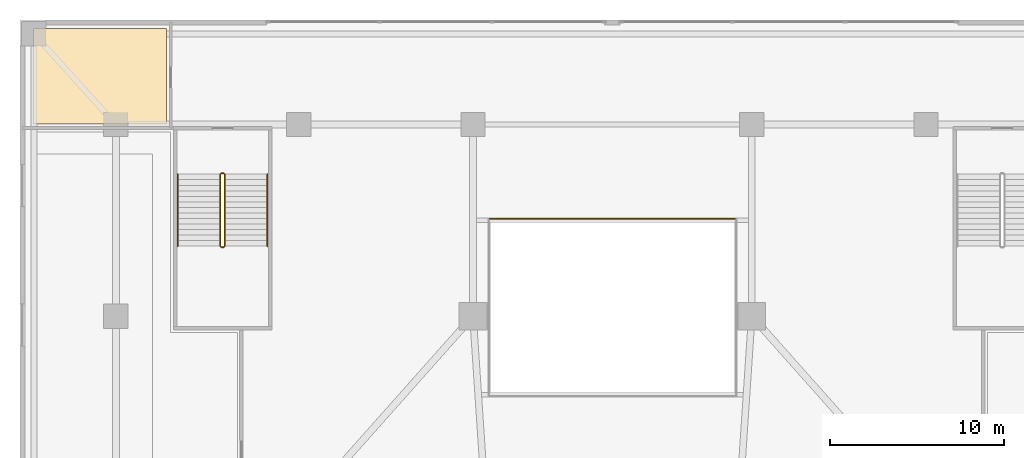
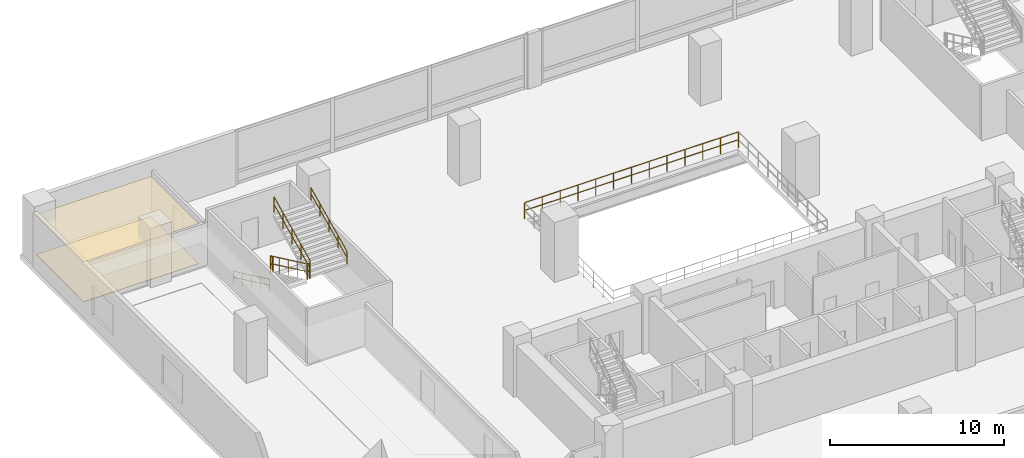
# One storey, part 13 of 15: 7 railings, 2 coverings.
"""IFC4 building model written with IfcOpenShell, lengths in metres."""

from ifc_helpers import new_model, si_unit, direction, frame, origin, origin_2d, place, context, subcontext, project, spatial, polyline, circle, outline, extrude, material, layer, layer_set, type_object, element, save


model = new_model("IFC4")

# Units and contexts
model_context = context("Model", 3, precision=1e-05, world=origin(), true_north=direction((0.0, 1.0)))
body_context = subcontext(model_context, "Body", "Model", "MODEL_VIEW")
ifc_project = project(units=[si_unit("LENGTHUNIT", "METRE"), si_unit("AREAUNIT", "SQUARE_METRE"), si_unit("VOLUMEUNIT", "CUBIC_METRE"), si_unit("PLANEANGLEUNIT", "RADIAN"), si_unit("MASSUNIT", "GRAM", prefix="KILO")], contexts=[model_context])

# Site, building, storey
site_placement = place(None, origin())
site = spatial("IfcSite", under=ifc_project, at=site_placement, CompositionType="ELEMENT")
building_placement = place(site_placement, origin())
building = spatial("IfcBuilding", under=site, at=building_placement, Name="Solmavex Isthmus Hotel", CompositionType="ELEMENT")
storey_placement = place(building_placement, frame((0.0, 0.0, 16.199951171875)))
storey = spatial("IfcBuildingStorey", under=building, at=storey_placement, Name="L04", CompositionType="ELEMENT", Elevation=16.199951171875)

# Coverings
ifc_material_1 = material(Name="Gypsum plasterboard lining", Category="gypsum")
ifc_layer_1 = layer(ifc_material_1, 0.030029296875)
ifc_layer_set_1 = layer_set([ifc_layer_1], Name="Gypsum plasterboard lining")
covering_type_1 = type_object("IfcCoveringType", Name="COV-CEIL-GYP", PredefinedType="CEILING", material=ifc_layer_set_1)
covering_1_placement = place(storey_placement, frame((0.0, 0.0, 2.800048828125)))
element("IfcCovering", 1, at=covering_1_placement, inside=storey, type_object=covering_type_1, Name="Suspended Acoustic Ceiling L04-NWR", PredefinedType="CEILING", context=body_context, shape_type="SweptSolid", body=[
    extrude(outline(polyline([(-25.580078125, 17.530029296875), (-25.580078125, 23.02001953125), (-33.219970703125, 23.02001953125), (-33.219970703125, 17.530029296875), (-25.580078125, 17.530029296875)])), origin(), (0.0, 0.0, 1.0), 0.030029296875),
])
ifc_material_2 = material(Name="Travertine natural stone", Category="masonry")
ifc_layer_2 = layer(ifc_material_2, 0.02490234375)
ifc_layer_set_2 = layer_set([ifc_layer_2], Name="Travertine natural stone")
covering_type_2 = type_object("IfcCoveringType", Name="COV-FLOR-STN", PredefinedType="FLOORING", material=ifc_layer_set_2)
covering_2_placement = place(storey_placement, origin())
element("IfcCovering", 2, at=covering_2_placement, inside=storey, type_object=covering_type_2, Name="Stone and Timber Floor Finish L04-NWR", PredefinedType="FLOORING", context=body_context, shape_type="SweptSolid", body=[
    extrude(outline(polyline([(-25.580078125, 17.530029296875), (-25.580078125, 23.02001953125), (-33.219970703125, 23.02001953125), (-33.219970703125, 17.530029296875), (-25.580078125, 17.530029296875)])), origin(), (0.0, 0.0, 1.0), 0.025146484375),
])

# Railings
ifc_material_3 = material(Name="Clear low-E laminated glass", Category="glass")
ifc_layer_3 = layer(ifc_material_3, 0.080078125)
ifc_layer_set_3 = layer_set([ifc_layer_3], Name="Clear low-E laminated glass")
railing_type_1 = type_object("IfcRailingType", Name="RAIL-ATRIUM-1120", PredefinedType="BALUSTRADE", material=ifc_layer_set_3)
railing_1_placement = place(storey_placement, frame((7.10009765625, 12.10009765625, 0.0)))
element("IfcRailing", 3, at=railing_1_placement, inside=storey, type_object=railing_type_1, Name="Guardrail Balustrade L04-ATRIUM-03", PredefinedType="BALUSTRADE", context=body_context, shape_type="SweptSolid", body=[
    extrude(circle(Radius=0.02392578125, at=origin_2d()), frame((0.0, 0.0, 1.1259765625), z_axis=(-1.0, 0.0, 0.0), x_axis=(0.0, -1.0, 0.0)), (0.0, 0.0, 1.0), 14.2001953125),
    extrude(circle(Radius=0.02392578125, at=origin_2d()), frame((0.0, 0.0, 0.574951171875), z_axis=(-1.0, 0.0, 0.0), x_axis=(0.0, -1.0, 0.0)), (0.0, 0.0, 1.0), 14.2001953125),
    extrude(circle(Radius=0.02099609375, at=origin_2d()), origin(), (0.0, 0.0, 1.0), 1.101806640625),
    extrude(circle(Radius=0.02099609375, at=origin_2d()), frame((-1.183349609375, 0.0, 0.0)), (0.0, 0.0, 1.0), 1.101806640625),
    extrude(circle(Radius=0.02099609375, at=origin_2d()), frame((-2.36669921875, 0.0, 0.0)), (0.0, 0.0, 1.0), 1.101806640625),
    extrude(circle(Radius=0.02099609375, at=origin_2d()), frame((-3.550048828125, 0.0, 0.0)), (0.0, 0.0, 1.0), 1.101806640625),
    extrude(circle(Radius=0.02099609375, at=origin_2d()), frame((-4.7333984375, 0.0, 0.0)), (0.0, 0.0, 1.0), 1.101806640625),
    extrude(circle(Radius=0.02099609375, at=origin_2d()), frame((-5.916748046875, 0.0, 0.0)), (0.0, 0.0, 1.0), 1.101806640625),
    extrude(circle(Radius=0.02099609375, at=origin_2d()), frame((-7.10009765625, 0.0, 0.0)), (0.0, 0.0, 1.0), 1.101806640625),
    extrude(circle(Radius=0.02099609375, at=origin_2d()), frame((-8.283447265625, 0.0, 0.0)), (0.0, 0.0, 1.0), 1.101806640625),
    extrude(circle(Radius=0.02099609375, at=origin_2d()), frame((-9.466796875, 0.0, 0.0)), (0.0, 0.0, 1.0), 1.101806640625),
    extrude(circle(Radius=0.02099609375, at=origin_2d()), frame((-10.650146484375, 0.0, 0.0)), (0.0, 0.0, 1.0), 1.101806640625),
    extrude(circle(Radius=0.02099609375, at=origin_2d()), frame((-11.83349609375, 0.0, 0.0)), (0.0, 0.0, 1.0), 1.101806640625),
    extrude(circle(Radius=0.02099609375, at=origin_2d()), frame((-13.016845703125, 0.0, 0.0)), (0.0, 0.0, 1.0), 1.101806640625),
    extrude(circle(Radius=0.02099609375, at=origin_2d()), frame((-14.2001953125, 0.0, 0.0)), (0.0, 0.0, 1.0), 1.101806640625),
])
ifc_material_4 = material(Name="Stainless steel 316", Category="steel")
ifc_layer_4 = layer(ifc_material_4, 0.06005859375)
ifc_layer_set_4 = layer_set([ifc_layer_4], Name="Stainless steel 316")
railing_type_2 = type_object("IfcRailingType", Name="RAIL-STAIR-GD", PredefinedType="GUARDRAIL", material=ifc_layer_set_4)
railing_2_placement = place(storey_placement, frame((-22.5, 14.64990234375, 0.150146484375)))
element("IfcRailing", 4, at=railing_2_placement, inside=storey, type_object=railing_type_2, Name="L04 ST-4 stair guard 1", PredefinedType="GUARDRAIL", context=body_context, shape_type="SweptSolid", body=[
    extrude(circle(Radius=0.02392578125, at=origin_2d()), frame((0.0, 0.0, 1.09619140625), z_axis=(0.0, -0.904427314889, 0.426627744154), x_axis=(1.0, 0.0, 0.0)), (0.0, 0.0, 1.0), 4.570556640625),
    extrude(circle(Radius=0.02392578125, at=origin_2d()), frame((0.0, 0.0, 0.56005859375), z_axis=(0.0, -0.904427314889, 0.426627744154), x_axis=(1.0, 0.0, 0.0)), (0.0, 0.0, 1.0), 4.570556640625),
    extrude(circle(Radius=0.02099609375, at=origin_2d()), origin(), (0.0, 0.0, 1.0), 1.072021484375),
    extrude(circle(Radius=0.02099609375, at=origin_2d()), frame((0.0, -1.033447265625, 0.487548828125)), (0.0, 0.0, 1.0), 1.072021484375),
    extrude(circle(Radius=0.02099609375, at=origin_2d()), frame((0.0, -2.06689453125, 0.97509765625)), (0.0, 0.0, 1.0), 1.072021484375),
    extrude(circle(Radius=0.02099609375, at=origin_2d()), frame((0.0, -3.100341796875, 1.46240234375)), (0.0, 0.0, 1.0), 1.072021484375),
    extrude(circle(Radius=0.02099609375, at=origin_2d()), frame((0.0, -4.1337890625, 1.949951171875)), (0.0, 0.0, 1.0), 1.072021484375),
])
railing_3_placement = place(storey_placement, frame((-22.449951171875, 10.466064453125, 2.10009765625)))
element("IfcRailing", 5, at=railing_3_placement, inside=storey, type_object=railing_type_2, Name="L04 ST-4 stair guard 2", PredefinedType="GUARDRAIL", context=body_context, shape_type="SweptSolid", body=[
    extrude(circle(Radius=0.02392578125, at=origin_2d()), frame((0.0, 0.0, 1.09619140625), z_axis=(1.0, 0.0, 0.0), x_axis=(0.0, 1.0, 0.0)), (0.0, 0.0, 1.0), 0.14990234375),
    extrude(circle(Radius=0.02392578125, at=origin_2d()), frame((0.0, 0.0, 0.56005859375), z_axis=(1.0, 0.0, 0.0), x_axis=(0.0, 1.0, 0.0)), (0.0, 0.0, 1.0), 0.14990234375),
    extrude(circle(Radius=0.02099609375, at=origin_2d()), origin(), (0.0, 0.0, 1.0), 1.072021484375),
    extrude(circle(Radius=0.02099609375, at=origin_2d()), frame((0.14990234375, 0.0, 0.0)), (0.0, 0.0, 1.0), 1.072021484375),
])
railing_4_placement = place(storey_placement, frame((-22.25, 10.51611328125, 2.25)))
element("IfcRailing", 6, at=railing_4_placement, inside=storey, type_object=railing_type_2, Name="L04 ST-4 stair guard 3", PredefinedType="GUARDRAIL", context=body_context, shape_type="SweptSolid", body=[
    extrude(circle(Radius=0.02392578125, at=origin_2d()), frame((0.0, 0.0, 1.09619140625), z_axis=(0.0, 0.904427314889, 0.426627744154), x_axis=(-1.0, 0.0, 0.0)), (0.0, 0.0, 1.0), 4.570556640625),
    extrude(circle(Radius=0.02392578125, at=origin_2d()), frame((0.0, 0.0, 0.56005859375), z_axis=(0.0, 0.904427314889, 0.426627744154), x_axis=(-1.0, 0.0, 0.0)), (0.0, 0.0, 1.0), 4.570556640625),
    extrude(circle(Radius=0.02099609375, at=origin_2d()), origin(), (0.0, 0.0, 1.0), 1.072021484375),
    extrude(circle(Radius=0.02099609375, at=origin_2d()), frame((0.0, 1.033447265625, 0.487548828125)), (0.0, 0.0, 1.0), 1.072021484375),
    extrude(circle(Radius=0.02099609375, at=origin_2d()), frame((0.0, 2.06689453125, 0.97509765625)), (0.0, 0.0, 1.0), 1.072021484375),
    extrude(circle(Radius=0.02099609375, at=origin_2d()), frame((0.0, 3.100341796875, 1.46240234375)), (0.0, 0.0, 1.0), 1.072021484375),
    extrude(circle(Radius=0.02099609375, at=origin_2d()), frame((0.0, 4.1337890625, 1.949951171875)), (0.0, 0.0, 1.0), 1.072021484375),
])
railing_5_placement = place(storey_placement, frame((-22.449951171875, 14.699951171875, 0.0)))
element("IfcRailing", 7, at=railing_5_placement, inside=storey, type_object=railing_type_2, Name="L04 ST-4 stair guard 4", PredefinedType="GUARDRAIL", context=body_context, shape_type="SweptSolid", body=[
    extrude(circle(Radius=0.02392578125, at=origin_2d()), frame((0.0, 0.0, 1.09619140625), z_axis=(1.0, 0.0, 0.0), x_axis=(0.0, 1.0, 0.0)), (0.0, 0.0, 1.0), 0.14990234375),
    extrude(circle(Radius=0.02392578125, at=origin_2d()), frame((0.0, 0.0, 0.56005859375), z_axis=(1.0, 0.0, 0.0), x_axis=(0.0, 1.0, 0.0)), (0.0, 0.0, 1.0), 0.14990234375),
    extrude(circle(Radius=0.02099609375, at=origin_2d()), origin(), (0.0, 0.0, 1.0), 1.072021484375),
    extrude(circle(Radius=0.02099609375, at=origin_2d()), frame((0.14990234375, 0.0, 0.0)), (0.0, 0.0, 1.0), 1.072021484375),
])
ifc_layer_5 = layer(ifc_material_4, 0.050048828125)
ifc_layer_set_5 = layer_set([ifc_layer_5], Name="Stainless steel 316")
railing_type_3 = type_object("IfcRailingType", Name="RAIL-STAIR-HR", PredefinedType="HANDRAIL", material=ifc_layer_set_5)
railing_6_placement = place(storey_placement, frame((-24.949951171875, 14.64990234375, 0.150146484375)))
element("IfcRailing", 8, at=railing_6_placement, inside=storey, type_object=railing_type_3, Name="L04 ST-4 stair handrail 1", PredefinedType="HANDRAIL", context=body_context, shape_type="SweptSolid", body=[
    extrude(circle(Radius=0.02392578125, at=origin_2d()), frame((0.0, 0.0, 0.8759765625), z_axis=(0.0, -0.904427314889, 0.426627744154), x_axis=(1.0, 0.0, 0.0)), (0.0, 0.0, 1.0), 4.570556640625),
    extrude(circle(Radius=0.02392578125, at=origin_2d()), frame((0.0, 0.0, 0.449951171875), z_axis=(0.0, -0.904427314889, 0.426627744154), x_axis=(1.0, 0.0, 0.0)), (0.0, 0.0, 1.0), 4.570556640625),
    extrude(circle(Radius=0.02099609375, at=origin_2d()), origin(), (0.0, 0.0, 1.0), 0.851806640625),
    extrude(circle(Radius=0.02099609375, at=origin_2d()), frame((0.0, -1.033447265625, 0.487548828125)), (0.0, 0.0, 1.0), 0.851806640625),
    extrude(circle(Radius=0.02099609375, at=origin_2d()), frame((0.0, -2.06689453125, 0.97509765625)), (0.0, 0.0, 1.0), 0.851806640625),
    extrude(circle(Radius=0.02099609375, at=origin_2d()), frame((0.0, -3.100341796875, 1.46240234375)), (0.0, 0.0, 1.0), 0.851806640625),
    extrude(circle(Radius=0.02099609375, at=origin_2d()), frame((0.0, -4.1337890625, 1.949951171875)), (0.0, 0.0, 1.0), 0.851806640625),
])
railing_7_placement = place(storey_placement, frame((-19.800048828125, 10.51611328125, 2.25)))
element("IfcRailing", 9, at=railing_7_placement, inside=storey, type_object=railing_type_3, Name="L04 ST-4 stair handrail 2", PredefinedType="HANDRAIL", context=body_context, shape_type="SweptSolid", body=[
    extrude(circle(Radius=0.02392578125, at=origin_2d()), frame((0.0, 0.0, 0.8759765625), z_axis=(0.0, 0.904427314889, 0.426627744154), x_axis=(-1.0, 0.0, 0.0)), (0.0, 0.0, 1.0), 4.570556640625),
    extrude(circle(Radius=0.02392578125, at=origin_2d()), frame((0.0, 0.0, 0.449951171875), z_axis=(0.0, 0.904427314889, 0.426627744154), x_axis=(-1.0, 0.0, 0.0)), (0.0, 0.0, 1.0), 4.570556640625),
    extrude(circle(Radius=0.02099609375, at=origin_2d()), origin(), (0.0, 0.0, 1.0), 0.851806640625),
    extrude(circle(Radius=0.02099609375, at=origin_2d()), frame((0.0, 1.033447265625, 0.487548828125)), (0.0, 0.0, 1.0), 0.851806640625),
    extrude(circle(Radius=0.02099609375, at=origin_2d()), frame((0.0, 2.06689453125, 0.97509765625)), (0.0, 0.0, 1.0), 0.851806640625),
    extrude(circle(Radius=0.02099609375, at=origin_2d()), frame((0.0, 3.100341796875, 1.46240234375)), (0.0, 0.0, 1.0), 0.851806640625),
    extrude(circle(Radius=0.02099609375, at=origin_2d()), frame((0.0, 4.1337890625, 1.949951171875)), (0.0, 0.0, 1.0), 0.851806640625),
])

save(model, "model.ifc")
